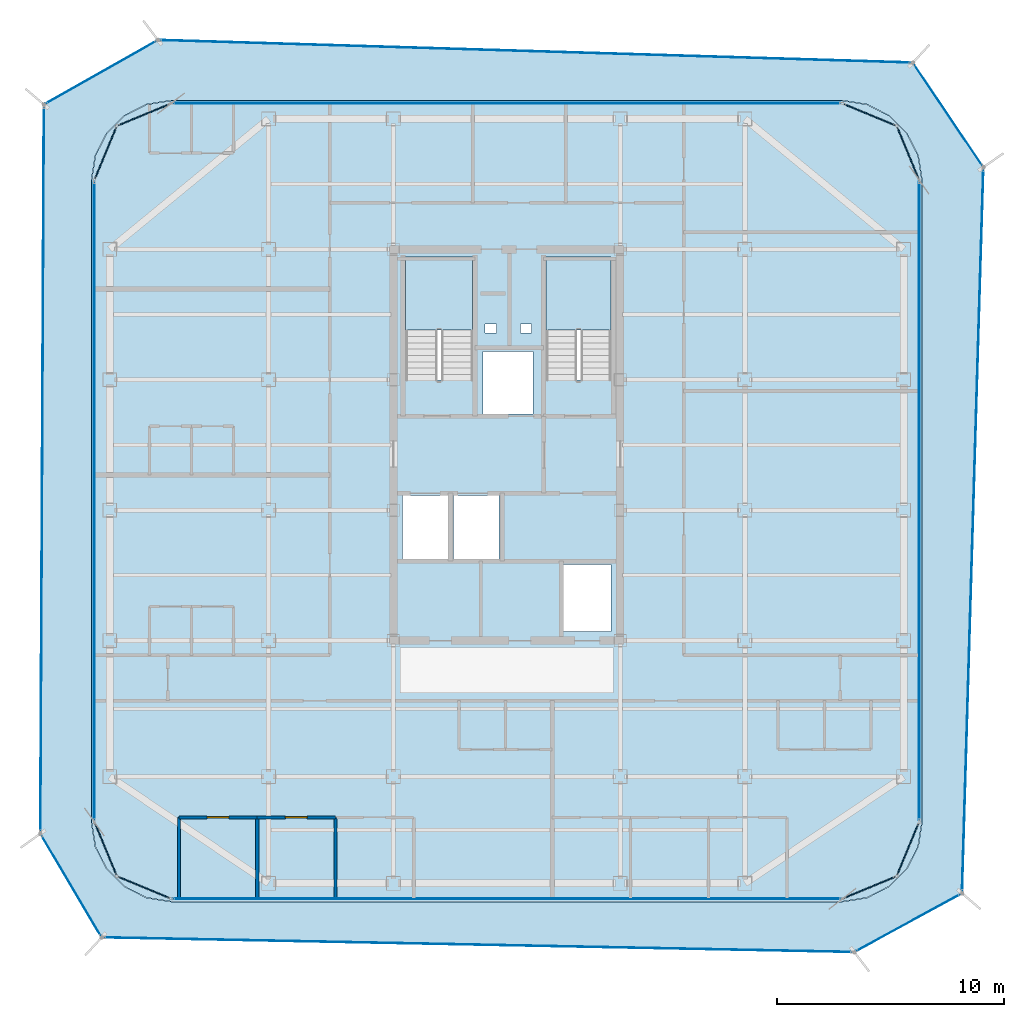
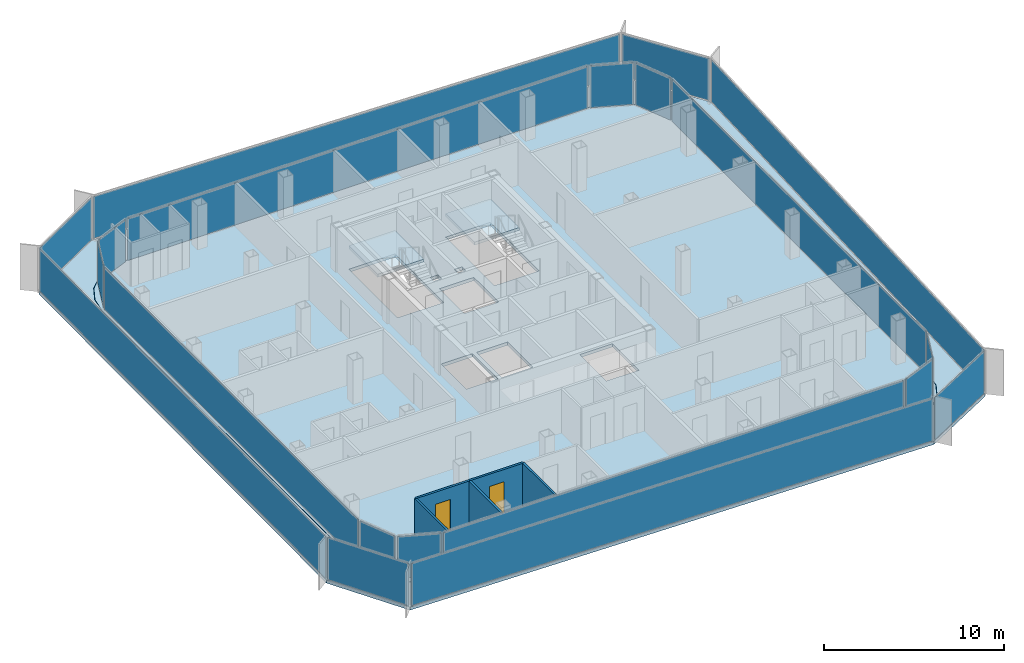
# One storey, part 9 of 15: 20 plates, 5 walls, 4 slabs, 2 doors, 2 openings, 22 elements without a shape of their own.
"""IFC4 building model written with IfcOpenShell, lengths in metres."""

import ifcopenshell
import ifcopenshell.guid

model = None  # the IFC model being written
_history = None  # IfcOwnerHistory: only IFC2X3 demands one
_inside = {}  # id of a spatial element -> (the spatial element, [elements in it])
_under = {}  # id of a project, library or spatial element -> (it, [spatial elements below it])
_declared = {}  # id of a project -> (the project, [libraries it declares])
_typed = {}  # id of a type object -> (the type object, [elements of that type])
_made_of = {}  # id of a material, layer set ... -> (it, [elements and type objects made of it])


def new_model(schema):
    """Start an empty IFC model of exactly this schema.

    Asked for "IFC4X3", IfcOpenShell would pick the latest addendum, in which some entities
    have other attributes; the version numbers below select the first issue.
    IFC2X3 requires an IfcOwnerHistory on every rooted entity: one is made here for all.
    """
    global model, _history
    if schema == "IFC4X3":
        model = ifcopenshell.file(schema_version=(4, 3, 0, 0))
    else:
        model = ifcopenshell.file(schema=schema)
    _inside.clear()
    _under.clear()
    _declared.clear()
    _typed.clear()
    _made_of.clear()
    _history = None
    if model.schema == "IFC2X3":
        org = make("IfcOrganization", Name="unknown")
        user = make(
            "IfcPersonAndOrganization",
            ThePerson=make("IfcPerson", FamilyName="unknown"),
            TheOrganization=org,
        )
        app = make(
            "IfcApplication",
            ApplicationDeveloper=org,
            Version="unknown",
            ApplicationFullName="unknown",
            ApplicationIdentifier="unknown",
        )
        _history = make(
            "IfcOwnerHistory",
            OwningUser=user,
            OwningApplication=app,
            ChangeAction="ADDED",
            CreationDate=0,
        )
    return model


def make(cls, **values):
    """One entity of the class cls with the attributes given. An attribute that is None is left unset."""
    return model.create_entity(
        cls, **{name: value for name, value in values.items() if value is not None}
    )


def rooted(cls, **values):
    """An entity with a GlobalId (a new one), such as an element, a storey or a relation."""
    return make(cls, GlobalId=ifcopenshell.guid.new(), OwnerHistory=_history, **values)


def si_unit(unit_type, name, prefix=None):
    """IfcSIUnit, for example si_unit("LENGTHUNIT", "METRE", prefix="MILLI")."""
    return make("IfcSIUnit", UnitType=unit_type, Prefix=prefix, Name=name)


def assignment(units):
    """IfcUnitAssignment: the units of a project."""
    return None if units is None else make("IfcUnitAssignment", Units=units)


def point(xyz):
    """IfcCartesianPoint."""
    return None if xyz is None else make("IfcCartesianPoint", Coordinates=xyz)


def direction(xyz):
    """IfcDirection."""
    return None if xyz is None else make("IfcDirection", DirectionRatios=xyz)


def frame(location, z_axis=None, x_axis=None):
    """IfcAxis2Placement3D, a coordinate frame: its origin and axes. An axis left out is left unset."""
    return make(
        "IfcAxis2Placement3D",
        Location=point(location),
        Axis=direction(z_axis),
        RefDirection=direction(x_axis),
    )


def frame_2d(location, x_axis=None):
    """IfcAxis2Placement2D, a coordinate frame in the plane: its origin and x axis."""
    return make(
        "IfcAxis2Placement2D", Location=point(location), RefDirection=direction(x_axis)
    )


def origin():
    """The frame at (0, 0, 0) with its axes left unset."""
    return frame((0.0, 0.0, 0.0))


def origin_2d():
    """The frame at (0, 0) in the plane with its x axis left unset."""
    return frame_2d((0.0, 0.0))


def place(relative_to, where):
    """IfcLocalPlacement: puts the frame where relative to a parent placement (None: the world)."""
    return make(
        "IfcLocalPlacement", PlacementRelTo=relative_to, RelativePlacement=where
    )


def context(
    kind, dimensions, precision=None, world=None, true_north=None, identifier=None
):
    """IfcGeometricRepresentationContext, for example the 3D "Model" context."""
    return make(
        "IfcGeometricRepresentationContext",
        ContextIdentifier=identifier,
        ContextType=kind,
        CoordinateSpaceDimension=dimensions,
        Precision=precision,
        WorldCoordinateSystem=world,
        TrueNorth=true_north,
    )


def subcontext(parent, identifier, kind, view, scale=None):
    """IfcGeometricRepresentationSubContext, for example "Body" below "Model"."""
    return make(
        "IfcGeometricRepresentationSubContext",
        ContextIdentifier=identifier,
        ContextType=kind,
        ParentContext=parent,
        TargetScale=scale,
        TargetView=view,
    )


def project(units=None, contexts=None):
    """IfcProject with its units and contexts."""
    return rooted(
        "IfcProject",
        Name="project",
        RepresentationContexts=contexts,
        UnitsInContext=assignment(units),
    )


def spatial(cls, under=None, at=None, **own):
    """A site, building, storey or space (cls), placed at a placement, below another one or the project."""
    s = rooted(cls, ObjectPlacement=at, **own)
    if under is not None:
        _under.setdefault(under.id(), (under, []))[1].append(s)
    return s


def polyline(points):
    """IfcPolyline through the points."""
    return make("IfcPolyline", Points=[point(p) for p in points])


def profile(cls, at=None, kind="AREA", **sizes):
    """A parametric profile (cls). Its sizes go by their IFC names, for example OverallWidth=200.0."""
    return make(cls, ProfileType=kind, Position=at, **sizes)


def rectangle(**sizes):
    """IfcRectangleProfileDef."""
    return profile("IfcRectangleProfileDef", **sizes)


def outline(outer, holes=None, kind="AREA"):
    """IfcArbitraryClosedProfileDef: a profile drawn as a closed curve; with holes, ...WithVoids."""
    if holes is None:
        return make("IfcArbitraryClosedProfileDef", ProfileType=kind, OuterCurve=outer)
    return make(
        "IfcArbitraryProfileDefWithVoids",
        ProfileType=kind,
        OuterCurve=outer,
        InnerCurves=holes,
    )


def extrude(swept, where, along, depth):
    """IfcExtrudedAreaSolid: the profile swept, set in the frame where, extruded along a direction by depth."""
    return make(
        "IfcExtrudedAreaSolid",
        SweptArea=swept,
        Position=where,
        ExtrudedDirection=direction(along),
        Depth=depth,
    )


def shape(context_of_items, identifier, shape_type, items):
    """IfcShapeRepresentation: the items that make up one representation, for example the "Body"."""
    return make(
        "IfcShapeRepresentation",
        ContextOfItems=context_of_items,
        RepresentationIdentifier=identifier,
        RepresentationType=shape_type,
        Items=items,
    )


def source(mapping_origin, context_of_items, identifier, shape_type, items):
    """IfcRepresentationMap: a shape defined once, which mapped items show again and again."""
    return make(
        "IfcRepresentationMap",
        MappingOrigin=mapping_origin,
        MappedRepresentation=shape(context_of_items, identifier, shape_type, items),
    )


def transform(
    local_origin,
    x_axis=None,
    y_axis=None,
    z_axis=None,
    scale=None,
    scale2=None,
    scale3=None,
    uniform=True,
):
    """IfcCartesianTransformationOperator3D, or its non-uniform kind. x_axis, y_axis, z_axis: its Axis1, 2, 3."""
    if uniform:
        return make(
            "IfcCartesianTransformationOperator3D",
            Axis1=direction(x_axis),
            Axis2=direction(y_axis),
            LocalOrigin=point(local_origin),
            Scale=scale,
            Axis3=direction(z_axis),
        )
    return make(
        "IfcCartesianTransformationOperator3DnonUniform",
        Axis1=direction(x_axis),
        Axis2=direction(y_axis),
        LocalOrigin=point(local_origin),
        Scale=scale,
        Axis3=direction(z_axis),
        Scale2=scale2,
        Scale3=scale3,
    )


def mapped(mapping_source, mapping_target):
    """IfcMappedItem: shows the shape of a source again, moved by a transform."""
    return make(
        "IfcMappedItem", MappingSource=mapping_source, MappingTarget=mapping_target
    )


def material(Name=None, Category=None):
    """IfcMaterial."""
    return make("IfcMaterial", Name=Name, Category=Category)


def layer(
    of_material, thickness, ventilated=None, Name=None, Category=None, Priority=None
):
    """IfcMaterialLayer: one layer of a wall or slab, of a material (None: an air gap)."""
    return make(
        "IfcMaterialLayer",
        Material=of_material,
        LayerThickness=thickness,
        IsVentilated=ventilated,
        Name=Name,
        Category=Category,
        Priority=Priority,
    )


def layer_set(layers, Name=None):
    """IfcMaterialLayerSet."""
    return make("IfcMaterialLayerSet", MaterialLayers=layers, LayerSetName=Name)


def made_of(thing, what):
    """Note that an element or type object is made of a material, layer set ...; save() writes the relation."""
    if what is not None:
        _made_of.setdefault(what.id(), (what, []))[1].append(thing)
    return thing


def type_object(cls, material=None, **own):
    """A type object (cls), such as IfcWallType, which elements share."""
    return made_of(rooted(cls, **own), material)


def element(
    cls,
    number,
    at=None,
    inside=None,
    cuts=None,
    type_object=None,
    material=None,
    context=None,
    identifier="Body",
    shape_type=None,
    held_by="IfcProductDefinitionShape",
    body=None,
    shapes=None,
    **own,
):
    """One element of the class cls, such as IfcWall. Its Tag is "e" and its number.

    at: its placement. inside: the storey or other place that contains it. cuts: it is an
    opening in that element (IfcRelVoidsElement). A single representation is given by context,
    identifier, shape_type and body (its items); several are given by shapes. held_by: the class
    of the entity that holds the representations. save() writes the other relations.
    """
    e = rooted(cls, Tag="e%d" % number, ObjectPlacement=at, **own)
    if body is not None:
        shapes = [shape(context, identifier, shape_type, body)]
    if shapes is not None:
        e.Representation = make(held_by, Representations=shapes)
    if inside is not None:
        _inside.setdefault(inside.id(), (inside, []))[1].append(e)
    if cuts is not None:
        rooted(
            "IfcRelVoidsElement", RelatingBuildingElement=cuts, RelatedOpeningElement=e
        )
    if type_object is not None:
        _typed.setdefault(type_object.id(), (type_object, []))[1].append(e)
    return made_of(e, material)


def fill(opening, filler):
    """IfcRelFillsElement: the door or window that sits in an opening."""
    return rooted(
        "IfcRelFillsElement",
        RelatingOpeningElement=opening,
        RelatedBuildingElement=filler,
    )


def aggregate(whole, parts):
    """IfcRelAggregates: a whole, such as a stair, and the parts it consists of."""
    return rooted("IfcRelAggregates", RelatingObject=whole, RelatedObjects=parts)


def save(model, path):
    """Write the relations noted so far, then the file.

    IfcRelAggregates (storeys below a building ...), IfcRelContainedInSpatialStructure (elements
    in a storey), IfcRelDefinesByType, IfcRelAssociatesMaterial and IfcRelDeclares: one each for
    every whole, place, type object, material and project.
    """
    for whole, parts in _under.values():
        aggregate(whole, parts)
    for where, things in _inside.values():
        rooted(
            "IfcRelContainedInSpatialStructure",
            RelatedElements=things,
            RelatingStructure=where,
        )
    for kind, things in _typed.values():
        rooted("IfcRelDefinesByType", RelatedObjects=things, RelatingType=kind)
    for what, things in _made_of.values():
        rooted("IfcRelAssociatesMaterial", RelatedObjects=things, RelatingMaterial=what)
    for by, libraries in _declared.values():
        rooted("IfcRelDeclares", RelatingContext=by, RelatedDefinitions=libraries)
    model.write(path)


model = new_model("IFC4")

# Units and contexts
model_context = context("Model", 3, precision=1e-05, world=origin(), true_north=direction((0.0, 1.0)))
body_context = subcontext(model_context, "Body", "Model", "MODEL_VIEW")
ifc_project = project(units=[si_unit("LENGTHUNIT", "METRE"), si_unit("AREAUNIT", "SQUARE_METRE"), si_unit("VOLUMEUNIT", "CUBIC_METRE"), si_unit("PLANEANGLEUNIT", "RADIAN"), si_unit("MASSUNIT", "GRAM", prefix="KILO")], contexts=[model_context])

# Site, building, storey
site_placement = place(None, origin())
site = spatial("IfcSite", under=ifc_project, at=site_placement, CompositionType="ELEMENT")
building_placement = place(site_placement, origin())
building = spatial("IfcBuilding", under=site, at=building_placement, Name="Kolveth Station Tower", CompositionType="ELEMENT")
storey_placement = place(building_placement, frame((0.0, 0.0, 258.5)))
storey = spatial("IfcBuildingStorey", under=building, at=storey_placement, Name="L74", CompositionType="ELEMENT", Elevation=258.5)

# Slab
ifc_material_1 = material(Name="Concrete C40/50", Category="concrete")
ifc_layer_1 = layer(ifc_material_1, 0.219970703125)
ifc_layer_set_1 = layer_set([ifc_layer_1], Name="Concrete C40/50")
slab_type_1 = type_object("IfcSlabType", Name="Slab_SF-220", PredefinedType="FLOOR", material=ifc_layer_set_1)
slab_1_placement = place(storey_placement, frame((0.0, 0.0, -0.219970703125)))
element("IfcSlab", 1, at=slab_1_placement, inside=storey, type_object=slab_type_1, Name="L74 Tower Structural Floor Slab", PredefinedType="FLOOR", context=body_context, shape_type="SweptSolid", body=[
    extrude(outline(polyline([(38.300048828125, 0.0), (39.381591796875, 0.17138671875), (40.357177734375, 0.66845703125), (41.131591796875, 1.44287109375), (41.628662109375, 2.41845703125), (41.800048828125, 3.5), (41.800048828125, 31.800048828125), (41.628662109375, 32.881591796875), (41.131591796875, 33.857177734375), (40.357177734375, 34.631591796875), (39.381591796875, 35.128662109375), (38.300048828125, 35.300048828125), (8.699951171875, 35.300048828125), (7.618408203125, 35.128662109375), (6.642822265625, 34.631591796875), (5.868408203125, 33.857177734375), (5.371337890625, 32.881591796875), (5.199951171875, 31.800048828125), (5.199951171875, 3.5), (5.371337890625, 2.41845703125), (5.868408203125, 1.44287109375), (6.642822265625, 0.66845703125), (7.618408203125, 0.17138671875), (8.699951171875, 0.0), (38.300048828125, 0.0)]), holes=[polyline([(19.0400390625, 22.985107421875), (22.0, 22.985107421875), (22.0, 28.39990234375), (19.0400390625, 28.39990234375), (19.0400390625, 22.985107421875)]), polyline([(25.239990234375, 22.985107421875), (28.10009765625, 22.985107421875), (28.10009765625, 28.39990234375), (25.239990234375, 28.39990234375), (25.239990234375, 22.985107421875)]), polyline([(18.89990234375, 15.10009765625), (20.89990234375, 15.10009765625), (20.89990234375, 17.89990234375), (18.89990234375, 17.89990234375), (18.89990234375, 15.10009765625)]), polyline([(21.14990234375, 15.10009765625), (23.14990234375, 15.10009765625), (23.14990234375, 17.89990234375), (21.14990234375, 17.89990234375), (21.14990234375, 15.10009765625)]), polyline([(22.449951171875, 21.5), (24.64990234375, 21.5), (24.64990234375, 24.25), (22.449951171875, 24.25), (22.449951171875, 21.5)]), polyline([(26.0, 11.89990234375), (28.10009765625, 11.89990234375), (28.10009765625, 14.85009765625), (26.0, 14.85009765625), (26.0, 11.89990234375)]), polyline([(22.550048828125, 25.050048828125), (23.050048828125, 25.050048828125), (23.050048828125, 25.449951171875), (22.550048828125, 25.449951171875), (22.550048828125, 25.050048828125)]), polyline([(24.10009765625, 25.050048828125), (24.60009765625, 25.050048828125), (24.60009765625, 25.449951171875), (24.10009765625, 25.449951171875), (24.10009765625, 25.050048828125)])]), origin(), (0.0, 0.0, 1.0), 0.219970703125),
])

# Stair, slab
stair_type_1 = type_object("IfcStairType", Name="Stair_ST2", PredefinedType="HALF_TURN_STAIR", material=ifc_material_1)
stair_1_placement = place(storey_placement, origin())
stair_1 = element("IfcStair", 2, at=stair_1_placement, inside=storey, type_object=stair_type_1, Name="L74 Tower Exit Stair ST2", PredefinedType="HALF_TURN_STAIR")
ifc_layer_2 = layer(ifc_material_1, 0.18994140625)
ifc_layer_set_2 = layer_set([ifc_layer_2], Name="Concrete C40/50")
slab_type_2 = type_object("IfcSlabType", Name="Slab_SL-190", PredefinedType="LANDING", material=ifc_layer_set_2)
slab_2_placement = place(storey_placement, frame((0.0, 0.0, 1.39990234375)))
slab_2 = element("IfcSlab", 3, at=slab_2_placement, type_object=slab_type_2, Name="ST2 landing 1", PredefinedType="LANDING", context=body_context, shape_type="SweptSolid", body=[
    extrude(outline(polyline([(28.10009765625, 25.18994140625), (28.10009765625, 28.39990234375), (25.239990234375, 28.39990234375), (25.239990234375, 25.18994140625), (28.10009765625, 25.18994140625)])), origin(), (0.0, 0.0, 1.0), 0.2001953125),
])
aggregate(stair_1, [slab_2])

stair_type_2 = type_object("IfcStairType", Name="Stair_ST1", PredefinedType="HALF_TURN_STAIR", material=ifc_material_1)
stair_2_placement = place(storey_placement, origin())
stair_2 = element("IfcStair", 4, at=stair_2_placement, inside=storey, type_object=stair_type_2, Name="L74 Tower Exit Stair ST1", PredefinedType="HALF_TURN_STAIR")
ifc_layer_3 = layer(ifc_material_1, 0.205078125)
ifc_layer_set_3 = layer_set([ifc_layer_3], Name="Concrete C40/50")
slab_type_3 = type_object("IfcSlabType", Name="Slab_SL-205", PredefinedType="LANDING", material=ifc_layer_set_3)
slab_3_placement = place(storey_placement, frame((0.0, 0.0, 1.39990234375)))
slab_3 = element("IfcSlab", 5, at=slab_3_placement, type_object=slab_type_3, Name="ST1 landing 1", PredefinedType="LANDING", context=body_context, shape_type="SweptSolid", body=[
    extrude(outline(polyline([(22.0, 25.18994140625), (22.0, 28.39990234375), (19.0400390625, 28.39990234375), (19.0400390625, 25.18994140625), (22.0, 25.18994140625)])), origin(), (0.0, 0.0, 1.0), 0.2001953125),
])
aggregate(stair_2, [slab_3])

# Slab
ifc_layer_4 = layer(ifc_material_1, 0.2099609375)
ifc_layer_set_4 = layer_set([ifc_layer_4], Name="Concrete C40/50")
slab_type_4 = type_object("IfcSlabType", Name="Slab_ST-210", PredefinedType="FLOOR", material=ifc_layer_set_4)
slab_4_placement = place(storey_placement, frame((0.0, 0.0, -0.2099609375)))
element("IfcSlab", 6, at=slab_4_placement, inside=storey, type_object=slab_type_4, Name="L74 Double-Skin Cavity Structural Ledger Ring", PredefinedType="FLOOR", context=body_context, shape_type="SweptSolid", body=[
    extrude(outline(polyline([(5.647216796875, -1.58740234375), (2.943359375, 2.989990234375), (3.098876953125, 35.12939453125), (8.123779296875, 37.9736328125), (41.404052734375, 36.976806640625), (44.51513671875, 32.366943359375), (43.57275390625, 0.35888671875), (38.82177734375, -2.233154296875), (5.647216796875, -1.58740234375)]), holes=[polyline([(38.30224609375, -0.014892578125), (39.3837890625, 0.156494140625), (39.388427734375, 0.157958984375), (40.364013671875, 0.655029296875), (40.367919921875, 0.65771484375), (41.14208984375, 1.43212890625), (41.14501953125, 1.43603515625), (41.64208984375, 2.41162109375), (41.6435546875, 2.416015625), (41.814697265625, 3.497802734375), (41.81494140625, 3.5), (41.81494140625, 31.800048828125), (41.814697265625, 31.80224609375), (41.6435546875, 32.8837890625), (41.64208984375, 32.888427734375), (41.14501953125, 33.864013671875), (41.14208984375, 33.867919921875), (40.367919921875, 34.64208984375), (40.364013671875, 34.64501953125), (39.388427734375, 35.14208984375), (39.3837890625, 35.1435546875), (38.30224609375, 35.314697265625), (38.300048828125, 35.31494140625), (8.699951171875, 35.31494140625), (8.69775390625, 35.314697265625), (7.6162109375, 35.1435546875), (7.611572265625, 35.14208984375), (6.635986328125, 34.64501953125), (6.632080078125, 34.64208984375), (5.85791015625, 33.867919921875), (5.85498046875, 33.864013671875), (5.35791015625, 32.888427734375), (5.3564453125, 32.8837890625), (5.185302734375, 31.80224609375), (5.18505859375, 31.800048828125), (5.18505859375, 3.5), (5.185302734375, 3.497802734375), (5.3564453125, 2.416015625), (5.35791015625, 2.41162109375), (5.85498046875, 1.43603515625), (5.85791015625, 1.43212890625), (6.632080078125, 0.65771484375), (6.635986328125, 0.655029296875), (7.611572265625, 0.157958984375), (7.6162109375, 0.156494140625), (8.69775390625, -0.014892578125), (8.699951171875, -0.014892578125), (38.300048828125, -0.014892578125), (38.30224609375, -0.014892578125)])]), origin(), (0.0, 0.0, 1.0), 0.2099609375),
])

# Curtain wall, plate
ifc_material_2 = material(Name="Aluminium 6063-T6 and triple low-E dark glass", Category="aluminium")
ifc_layer_5 = layer(ifc_material_2, 0.199951171875)
ifc_layer_set_5 = layer_set([ifc_layer_5], Name="Aluminium 6063-T6 and triple low-E dark glass")
curtain_wall_type_1 = type_object("IfcCurtainWallType", Name="CurtainWall_CW-Z3", PredefinedType="NOTDEFINED", material=ifc_layer_set_5)
curtain_wall_1_placement = place(storey_placement, origin())
curtain_wall_1 = element("IfcCurtainWall", 7, at=curtain_wall_1_placement, inside=storey, type_object=curtain_wall_type_1, Name="L74 Inner Thermal Curtain Wall 1", PredefinedType="NOTDEFINED")
ifc_material_3 = material(Name="Architectural low-E dark glass", Category="glass")
ifc_layer_6 = layer(ifc_material_3, 0.0419921875)
ifc_layer_set_6 = layer_set([ifc_layer_6], Name="Architectural low-E dark glass")
plate_type_1 = type_object("IfcPlateType", Name="Panel_GL3", PredefinedType="CURTAIN_PANEL", material=ifc_layer_set_6)
shared_shape_1 = source(origin(), body_context, "Body", "SweptSolid", [
    extrude(rectangle(XDim=2.430908203125, YDim=0.0419921875, at=origin_2d()), origin(), (0.0, 0.0, 1.0), 2.823974609375),
])
plate_1_placement = place(storey_placement, frame((39.4951171875, 0.614990234375, 0.078125), z_axis=(0.0, 0.0, 1.0), x_axis=(0.923875488975, 0.382693194181, 0.0)))
plate_1 = element("IfcPlate", 8, at=plate_1_placement, type_object=plate_type_1, Name="CW-Z3 panel 1.1", PredefinedType="CURTAIN_PANEL", context=body_context, shape_type="MappedRepresentation", body=[
    mapped(shared_shape_1, transform((0.0, 0.0, 0.0), x_axis=(1.0, 0.0, 0.0), y_axis=(0.0, 1.0, 0.0), z_axis=(0.0, 0.0, 1.0), scale=1.0)),
])
aggregate(curtain_wall_1, [plate_1])

curtain_wall_2_placement = place(storey_placement, origin())
curtain_wall_2 = element("IfcCurtainWall", 9, at=curtain_wall_2_placement, inside=storey, type_object=curtain_wall_type_1, Name="L74 Inner Thermal Curtain Wall 2", PredefinedType="NOTDEFINED")
plate_2_placement = place(storey_placement, frame((41.18505859375, 2.304931640625, 0.078125), z_axis=(0.0, 0.0, 1.0), x_axis=(0.382693194181, 0.923875488975, 0.0)))
plate_2 = element("IfcPlate", 10, at=plate_2_placement, type_object=plate_type_1, Name="CW-Z3 panel 1.1", PredefinedType="CURTAIN_PANEL", context=body_context, shape_type="MappedRepresentation", body=[
    mapped(shared_shape_1, transform((0.0, 0.0, 0.0), x_axis=(1.0, 0.0, 0.0), y_axis=(0.0, 1.0, 0.0), z_axis=(0.0, 0.0, 1.0), scale=1.0)),
])
aggregate(curtain_wall_2, [plate_2])

curtain_wall_3_placement = place(storey_placement, origin())
curtain_wall_3 = element("IfcCurtainWall", 11, at=curtain_wall_3_placement, inside=storey, type_object=curtain_wall_type_1, Name="L74 Inner Thermal Curtain Wall 4", PredefinedType="NOTDEFINED")
plate_3_placement = place(storey_placement, frame((41.18505859375, 32.9951171875, 0.078125), z_axis=(0.0, 0.0, 1.0), x_axis=(-0.382693194181, 0.923875488975, 0.0)))
plate_3 = element("IfcPlate", 12, at=plate_3_placement, type_object=plate_type_1, Name="CW-Z3 panel 1.1", PredefinedType="CURTAIN_PANEL", context=body_context, shape_type="MappedRepresentation", body=[
    mapped(shared_shape_1, transform((0.0, 0.0, 0.0), x_axis=(1.0, 0.0, 0.0), y_axis=(0.0, 1.0, 0.0), z_axis=(0.0, 0.0, 1.0), scale=1.0)),
])
aggregate(curtain_wall_3, [plate_3])

curtain_wall_4_placement = place(storey_placement, origin())
curtain_wall_4 = element("IfcCurtainWall", 13, at=curtain_wall_4_placement, inside=storey, type_object=curtain_wall_type_1, Name="L74 Inner Thermal Curtain Wall 5", PredefinedType="NOTDEFINED")
plate_4_placement = place(storey_placement, frame((39.4951171875, 34.68505859375, 0.078125), z_axis=(0.0, 0.0, 1.0), x_axis=(-0.923875488975, 0.382693194181, 0.0)))
plate_4 = element("IfcPlate", 14, at=plate_4_placement, type_object=plate_type_1, Name="CW-Z3 panel 1.1", PredefinedType="CURTAIN_PANEL", context=body_context, shape_type="MappedRepresentation", body=[
    mapped(shared_shape_1, transform((0.0, 0.0, 0.0), x_axis=(1.0, 0.0, 0.0), y_axis=(0.0, 1.0, 0.0), z_axis=(0.0, 0.0, 1.0), scale=1.0)),
])
aggregate(curtain_wall_4, [plate_4])

curtain_wall_5_placement = place(storey_placement, origin())
curtain_wall_5 = element("IfcCurtainWall", 15, at=curtain_wall_5_placement, inside=storey, type_object=curtain_wall_type_1, Name="L74 Inner Thermal Curtain Wall 7", PredefinedType="NOTDEFINED")
plate_5_placement = place(storey_placement, frame((7.5048828125, 34.68505859375, 0.078125), z_axis=(0.0, 0.0, 1.0), x_axis=(-0.923875488975, -0.382693194181, 0.0)))
plate_5 = element("IfcPlate", 16, at=plate_5_placement, type_object=plate_type_1, Name="CW-Z3 panel 1.1", PredefinedType="CURTAIN_PANEL", context=body_context, shape_type="MappedRepresentation", body=[
    mapped(shared_shape_1, transform((0.0, 0.0, 0.0), x_axis=(1.0, 0.0, 0.0), y_axis=(0.0, 1.0, 0.0), z_axis=(0.0, 0.0, 1.0), scale=1.0)),
])
aggregate(curtain_wall_5, [plate_5])

curtain_wall_6_placement = place(storey_placement, origin())
curtain_wall_6 = element("IfcCurtainWall", 17, at=curtain_wall_6_placement, inside=storey, type_object=curtain_wall_type_1, Name="L74 Inner Thermal Curtain Wall 8", PredefinedType="NOTDEFINED")
plate_6_placement = place(storey_placement, frame((5.81494140625, 32.9951171875, 0.078125), z_axis=(0.0, 0.0, 1.0), x_axis=(-0.382693194181, -0.923875488975, 0.0)))
plate_6 = element("IfcPlate", 18, at=plate_6_placement, type_object=plate_type_1, Name="CW-Z3 panel 1.1", PredefinedType="CURTAIN_PANEL", context=body_context, shape_type="MappedRepresentation", body=[
    mapped(shared_shape_1, transform((0.0, 0.0, 0.0), x_axis=(1.0, 0.0, 0.0), y_axis=(0.0, 1.0, 0.0), z_axis=(0.0, 0.0, 1.0), scale=1.0)),
])
aggregate(curtain_wall_6, [plate_6])

curtain_wall_7_placement = place(storey_placement, origin())
curtain_wall_7 = element("IfcCurtainWall", 19, at=curtain_wall_7_placement, inside=storey, type_object=curtain_wall_type_1, Name="L74 Inner Thermal Curtain Wall 10", PredefinedType="NOTDEFINED")
plate_7_placement = place(storey_placement, frame((5.81494140625, 2.304931640625, 0.078125), z_axis=(0.0, 0.0, 1.0), x_axis=(0.382693194181, -0.923875488975, 0.0)))
plate_7 = element("IfcPlate", 20, at=plate_7_placement, type_object=plate_type_1, Name="CW-Z3 panel 1.1", PredefinedType="CURTAIN_PANEL", context=body_context, shape_type="MappedRepresentation", body=[
    mapped(shared_shape_1, transform((0.0, 0.0, 0.0), x_axis=(1.0, 0.0, 0.0), y_axis=(0.0, 1.0, 0.0), z_axis=(0.0, 0.0, 1.0), scale=1.0)),
])
aggregate(curtain_wall_7, [plate_7])

curtain_wall_8_placement = place(storey_placement, origin())
curtain_wall_8 = element("IfcCurtainWall", 21, at=curtain_wall_8_placement, inside=storey, type_object=curtain_wall_type_1, Name="L74 Inner Thermal Curtain Wall 11", PredefinedType="NOTDEFINED")
plate_8_placement = place(storey_placement, frame((7.5048828125, 0.614990234375, 0.078125), z_axis=(0.0, 0.0, 1.0), x_axis=(0.923875488975, -0.382693194181, 0.0)))
plate_8 = element("IfcPlate", 22, at=plate_8_placement, type_object=plate_type_1, Name="CW-Z3 panel 1.1", PredefinedType="CURTAIN_PANEL", context=body_context, shape_type="MappedRepresentation", body=[
    mapped(shared_shape_1, transform((0.0, 0.0, 0.0), x_axis=(1.0, 0.0, 0.0), y_axis=(0.0, 1.0, 0.0), z_axis=(0.0, 0.0, 1.0), scale=1.0)),
])
aggregate(curtain_wall_8, [plate_8])

curtain_wall_9_placement = place(storey_placement, origin())
curtain_wall_9 = element("IfcCurtainWall", 23, at=curtain_wall_9_placement, inside=storey, type_object=curtain_wall_type_1, Name="L74 Inner Thermal Curtain Wall 3", PredefinedType="NOTDEFINED")
shared_shape_2 = source(origin(), body_context, "Body", "SweptSolid", [
    extrude(rectangle(XDim=28.14404296875, YDim=0.0419921875, at=origin_2d()), origin(), (0.0, 0.0, 1.0), 2.823974609375),
])
plate_9_placement = place(storey_placement, frame((41.679931640625, 17.64990234375, 0.078125), z_axis=(0.0, 0.0, 1.0), x_axis=(0.0, 1.0, 0.0)))
plate_9 = element("IfcPlate", 24, at=plate_9_placement, type_object=plate_type_1, Name="CW-Z3 panel 1.1", PredefinedType="CURTAIN_PANEL", context=body_context, shape_type="MappedRepresentation", body=[
    mapped(shared_shape_2, transform((0.0, 0.0, 0.0), x_axis=(1.0, 0.0, 0.0), y_axis=(0.0, 1.0, 0.0), z_axis=(0.0, 0.0, 1.0), scale=1.0)),
])
aggregate(curtain_wall_9, [plate_9])

curtain_wall_10_placement = place(storey_placement, origin())
curtain_wall_10 = element("IfcCurtainWall", 25, at=curtain_wall_10_placement, inside=storey, type_object=curtain_wall_type_1, Name="L74 Inner Thermal Curtain Wall 9", PredefinedType="NOTDEFINED")
plate_10_placement = place(storey_placement, frame((5.320068359375, 17.64990234375, 0.078125), z_axis=(0.0, 0.0, 1.0), x_axis=(0.0, -1.0, 0.0)))
plate_10 = element("IfcPlate", 26, at=plate_10_placement, type_object=plate_type_1, Name="CW-Z3 panel 1.1", PredefinedType="CURTAIN_PANEL", context=body_context, shape_type="MappedRepresentation", body=[
    mapped(shared_shape_2, transform((0.0, 0.0, 0.0), x_axis=(1.0, 0.0, 0.0), y_axis=(0.0, 1.0, 0.0), z_axis=(0.0, 0.0, 1.0), scale=1.0)),
])
aggregate(curtain_wall_10, [plate_10])

curtain_wall_11_placement = place(storey_placement, origin())
curtain_wall_11 = element("IfcCurtainWall", 27, at=curtain_wall_11_placement, inside=storey, type_object=curtain_wall_type_1, Name="L74 Inner Thermal Curtain Wall 6", PredefinedType="NOTDEFINED")
shared_shape_3 = source(origin(), body_context, "Body", "SweptSolid", [
    extrude(rectangle(XDim=29.444091796875, YDim=0.0419921875, at=origin_2d()), origin(), (0.0, 0.0, 1.0), 2.823974609375),
])
plate_11_placement = place(storey_placement, frame((23.5, 35.179931640625, 0.078125), z_axis=(0.0, 0.0, 1.0), x_axis=(-1.0, 0.0, 0.0)))
plate_11 = element("IfcPlate", 28, at=plate_11_placement, type_object=plate_type_1, Name="CW-Z3 panel 1.1", PredefinedType="CURTAIN_PANEL", context=body_context, shape_type="MappedRepresentation", body=[
    mapped(shared_shape_3, transform((0.0, 0.0, 0.0), x_axis=(1.0, 0.0, 0.0), y_axis=(0.0, 1.0, 0.0), z_axis=(0.0, 0.0, 1.0), scale=1.0)),
])
aggregate(curtain_wall_11, [plate_11])

curtain_wall_12_placement = place(storey_placement, origin())
curtain_wall_12 = element("IfcCurtainWall", 29, at=curtain_wall_12_placement, inside=storey, type_object=curtain_wall_type_1, Name="L74 Inner Thermal Curtain Wall 12", PredefinedType="NOTDEFINED")
plate_12_placement = place(storey_placement, frame((23.5, 0.1201171875, 0.078125), z_axis=(0.0, 0.0, 1.0), x_axis=(1.0, 0.0, 0.0)))
plate_12 = element("IfcPlate", 30, at=plate_12_placement, type_object=plate_type_1, Name="CW-Z3 panel 1.1", PredefinedType="CURTAIN_PANEL", context=body_context, shape_type="MappedRepresentation", body=[
    mapped(shared_shape_3, transform((0.0, 0.0, 0.0), x_axis=(1.0, 0.0, 0.0), y_axis=(0.0, 1.0, 0.0), z_axis=(0.0, 0.0, 1.0), scale=1.0)),
])
aggregate(curtain_wall_12, [plate_12])

ifc_material_4 = material(Name="Black anodized aluminium 6063-T6 and dark solar glass", Category="aluminium")
ifc_layer_7 = layer(ifc_material_4, 0.159912109375)
ifc_layer_set_7 = layer_set([ifc_layer_7], Name="Black anodized aluminium 6063-T6 and dark solar glass")
curtain_wall_type_2 = type_object("IfcCurtainWallType", Name="OUTER SKIN CW-OS", PredefinedType="NOTDEFINED", material=ifc_layer_set_7)
curtain_wall_13_placement = place(storey_placement, origin())
curtain_wall_13 = element("IfcCurtainWall", 31, at=curtain_wall_13_placement, inside=storey, type_object=curtain_wall_type_2, Name="L74 Outer Ventilated Skin Curtain Wall 1", PredefinedType="NOTDEFINED")
ifc_layer_8 = layer(ifc_material_3, 0.028076171875)
ifc_layer_set_8 = layer_set([ifc_layer_8], Name="Architectural low-E dark glass")
plate_type_2 = type_object("IfcPlateType", Name="Panel_GL-OS", PredefinedType="CURTAIN_PANEL", material=ifc_layer_set_8)
shared_shape_4 = source(origin(), body_context, "Body", "SweptSolid", [
    extrude(rectangle(XDim=5.24609375, YDim=0.028076171875, at=origin_2d()), origin(), (0.0, 0.0, 1.0), 2.843994140625),
])
plate_13_placement = place(storey_placement, frame((41.197265625, -0.937255859375, 0.0732421875), z_axis=(0.0, 0.0, 1.0), x_axis=(0.877841194371, 0.478951811215, 0.0)))
plate_13 = element("IfcPlate", 32, at=plate_13_placement, type_object=plate_type_2, Name="CW-OS panel 1.1", PredefinedType="CURTAIN_PANEL", context=body_context, shape_type="MappedRepresentation", body=[
    mapped(shared_shape_4, transform((0.0, 0.0, 0.0), x_axis=(1.0, 0.0, 0.0), y_axis=(0.0, 1.0, 0.0), z_axis=(0.0, 0.0, 1.0), scale=1.0)),
])
aggregate(curtain_wall_13, [plate_13])

curtain_wall_14_placement = place(storey_placement, origin())
curtain_wall_14 = element("IfcCurtainWall", 33, at=curtain_wall_14_placement, inside=storey, type_object=curtain_wall_type_2, Name="L74 Outer Ventilated Skin Curtain Wall 2", PredefinedType="NOTDEFINED")
shared_shape_5 = source(origin(), body_context, "Body", "SweptSolid", [
    extrude(rectangle(XDim=31.85595703125, YDim=0.028076171875, at=origin_2d()), origin(), (0.0, 0.0, 1.0), 2.843994140625),
])
plate_14_placement = place(storey_placement, frame((44.0439453125, 16.363037109375, 0.0732421875), z_axis=(0.0, 0.0, 1.0), x_axis=(0.029432914465, 0.999566757924, 0.0)))
plate_14 = element("IfcPlate", 34, at=plate_14_placement, type_object=plate_type_2, Name="CW-OS panel 1.1", PredefinedType="CURTAIN_PANEL", context=body_context, shape_type="MappedRepresentation", body=[
    mapped(shared_shape_5, transform((0.0, 0.0, 0.0), x_axis=(1.0, 0.0, 0.0), y_axis=(0.0, 1.0, 0.0), z_axis=(0.0, 0.0, 1.0), scale=1.0)),
])
aggregate(curtain_wall_14, [plate_14])

curtain_wall_15_placement = place(storey_placement, origin())
curtain_wall_15 = element("IfcCurtainWall", 35, at=curtain_wall_15_placement, inside=storey, type_object=curtain_wall_type_2, Name="L74 Outer Ventilated Skin Curtain Wall 3", PredefinedType="NOTDEFINED")
shared_shape_6 = source(origin(), body_context, "Body", "SweptSolid", [
    extrude(rectangle(XDim=5.3955078125, YDim=0.028076171875, at=origin_2d()), origin(), (0.0, 0.0, 1.0), 2.843994140625),
])
plate_15_placement = place(storey_placement, frame((42.959716796875, 34.671875, 0.0732421875), z_axis=(0.0, 0.0, 1.0), x_axis=(-0.559421590236, 0.828883275485, 0.0)))
plate_15 = element("IfcPlate", 36, at=plate_15_placement, type_object=plate_type_2, Name="CW-OS panel 1.1", PredefinedType="CURTAIN_PANEL", context=body_context, shape_type="MappedRepresentation", body=[
    mapped(shared_shape_6, transform((0.0, 0.0, 0.0), x_axis=(1.0, 0.0, 0.0), y_axis=(0.0, 1.0, 0.0), z_axis=(0.0, 0.0, 1.0), scale=1.0)),
])
aggregate(curtain_wall_15, [plate_15])

curtain_wall_16_placement = place(storey_placement, origin())
curtain_wall_16 = element("IfcCurtainWall", 37, at=curtain_wall_16_placement, inside=storey, type_object=curtain_wall_type_2, Name="L74 Outer Ventilated Skin Curtain Wall 4", PredefinedType="NOTDEFINED")
shared_shape_7 = source(origin(), body_context, "Body", "SweptSolid", [
    extrude(rectangle(XDim=33.129150390625, YDim=0.028076171875, at=origin_2d()), origin(), (0.0, 0.0, 1.0), 2.843994140625),
])
plate_16_placement = place(storey_placement, frame((24.763916015625, 37.475341796875, 0.0732421875), z_axis=(0.0, 0.0, 1.0), x_axis=(-0.999551658236, 0.029941317897, 0.0)))
plate_16 = element("IfcPlate", 38, at=plate_16_placement, type_object=plate_type_2, Name="CW-OS panel 1.1", PredefinedType="CURTAIN_PANEL", context=body_context, shape_type="MappedRepresentation", body=[
    mapped(shared_shape_7, transform((0.0, 0.0, 0.0), x_axis=(1.0, 0.0, 0.0), y_axis=(0.0, 1.0, 0.0), z_axis=(0.0, 0.0, 1.0), scale=1.0)),
])
aggregate(curtain_wall_16, [plate_16])

curtain_wall_17_placement = place(storey_placement, origin())
curtain_wall_17 = element("IfcCurtainWall", 39, at=curtain_wall_17_placement, inside=storey, type_object=curtain_wall_type_2, Name="L74 Outer Ventilated Skin Curtain Wall 5", PredefinedType="NOTDEFINED")
shared_shape_8 = source(origin(), body_context, "Body", "SweptSolid", [
    extrude(rectangle(XDim=5.608154296875, YDim=0.028076171875, at=origin_2d()), origin(), (0.0, 0.0, 1.0), 2.843994140625),
])
plate_17_placement = place(storey_placement, frame((5.611328125, 36.551513671875, 0.0732421875), z_axis=(0.0, 0.0, 1.0), x_axis=(-0.870259796747, -0.492593022856, 0.0)))
plate_17 = element("IfcPlate", 40, at=plate_17_placement, type_object=plate_type_2, Name="CW-OS panel 1.1", PredefinedType="CURTAIN_PANEL", context=body_context, shape_type="MappedRepresentation", body=[
    mapped(shared_shape_8, transform((0.0, 0.0, 0.0), x_axis=(1.0, 0.0, 0.0), y_axis=(0.0, 1.0, 0.0), z_axis=(0.0, 0.0, 1.0), scale=1.0)),
])
aggregate(curtain_wall_17, [plate_17])

curtain_wall_18_placement = place(storey_placement, origin())
curtain_wall_18 = element("IfcCurtainWall", 41, at=curtain_wall_18_placement, inside=storey, type_object=curtain_wall_type_2, Name="L74 Outer Ventilated Skin Curtain Wall 6", PredefinedType="NOTDEFINED")
shared_shape_9 = source(origin(), body_context, "Body", "SweptSolid", [
    extrude(rectangle(XDim=31.973876953125, YDim=0.028076171875, at=origin_2d()), origin(), (0.0, 0.0, 1.0), 2.843994140625),
])
plate_18_placement = place(storey_placement, frame((3.02099609375, 19.0595703125, 0.0732421875), z_axis=(0.0, 0.0, 1.0), x_axis=(-0.00483511515, -0.999988310762, 0.0)))
plate_18 = element("IfcPlate", 42, at=plate_18_placement, type_object=plate_type_2, Name="CW-OS panel 1.1", PredefinedType="CURTAIN_PANEL", context=body_context, shape_type="MappedRepresentation", body=[
    mapped(shared_shape_9, transform((0.0, 0.0, 0.0), x_axis=(1.0, 0.0, 0.0), y_axis=(0.0, 1.0, 0.0), z_axis=(0.0, 0.0, 1.0), scale=1.0)),
])
aggregate(curtain_wall_18, [plate_18])

curtain_wall_19_placement = place(storey_placement, origin())
curtain_wall_19 = element("IfcCurtainWall", 43, at=curtain_wall_19_placement, inside=storey, type_object=curtain_wall_type_2, Name="L74 Outer Ventilated Skin Curtain Wall 7", PredefinedType="NOTDEFINED")
shared_shape_10 = source(origin(), body_context, "Body", "SweptSolid", [
    extrude(rectangle(XDim=5.150146484375, YDim=0.028076171875, at=origin_2d()), origin(), (0.0, 0.0, 1.0), 2.843994140625),
])
plate_19_placement = place(storey_placement, frame((4.29541015625, 0.701416015625, 0.0732421875), z_axis=(0.0, 0.0, 1.0), x_axis=(0.508602557933, -0.861001415832, 0.0)))
plate_19 = element("IfcPlate", 44, at=plate_19_placement, type_object=plate_type_2, Name="CW-OS panel 1.1", PredefinedType="CURTAIN_PANEL", context=body_context, shape_type="MappedRepresentation", body=[
    mapped(shared_shape_10, transform((0.0, 0.0, 0.0), x_axis=(1.0, 0.0, 0.0), y_axis=(0.0, 1.0, 0.0), z_axis=(0.0, 0.0, 1.0), scale=1.0)),
])
aggregate(curtain_wall_19, [plate_19])

curtain_wall_20_placement = place(storey_placement, origin())
curtain_wall_20 = element("IfcCurtainWall", 45, at=curtain_wall_20_placement, inside=storey, type_object=curtain_wall_type_2, Name="L74 Outer Ventilated Skin Curtain Wall 8", PredefinedType="NOTDEFINED")
shared_shape_11 = source(origin(), body_context, "Body", "SweptSolid", [
    extrude(rectangle(XDim=33.014892578125, YDim=0.028076171875, at=origin_2d()), origin(), (0.0, 0.0, 1.0), 2.843994140625),
])
plate_20_placement = place(storey_placement, frame((22.234619140625, -1.91015625, 0.0732421875), z_axis=(0.0, 0.0, 1.0), x_axis=(0.999810518972, -0.019466025632, 0.0)))
plate_20 = element("IfcPlate", 46, at=plate_20_placement, type_object=plate_type_2, Name="CW-OS panel 1.1", PredefinedType="CURTAIN_PANEL", context=body_context, shape_type="MappedRepresentation", body=[
    mapped(shared_shape_11, transform((0.0, 0.0, 0.0), x_axis=(1.0, 0.0, 0.0), y_axis=(0.0, 1.0, 0.0), z_axis=(0.0, 0.0, 1.0), scale=1.0)),
])
aggregate(curtain_wall_20, [plate_20])

# Wall
ifc_material_5 = material(Name="Moisture-resistant gypsum partition")
ifc_layer_9 = layer(ifc_material_5, 0.135009765625)
ifc_layer_set_9 = layer_set([ifc_layer_9], Name="Moisture-resistant gypsum partition")
wall_type = type_object("IfcWallType", Name="Wall_IW-135", PredefinedType="PARTITIONING", material=ifc_layer_set_9)
wall_1_placement = place(storey_placement, frame((9.050048828125, 0.159912109375, 0.0), z_axis=(0.0, 0.0, 1.0), x_axis=(0.0, 1.0, 0.0)))
element("IfcWall", 47, at=wall_1_placement, inside=storey, type_object=wall_type, Name="L74 Partition Wall WL-L74-A1-BDV0", PredefinedType="PARTITIONING", context=body_context, shape_type="SweptSolid", body=[
    extrude(rectangle(XDim=3.550048828125, YDim=0.135009765625, at=frame_2d((1.77490234375, 0.0))), origin(), (0.0, 0.0, 1.0), 2.97998046875),
])

# Wall, opening, door
wall_2_placement = place(storey_placement, frame((9.050048828125, 3.7099609375, 0.0), z_axis=(0.0, 0.0, 1.0), x_axis=(1.0, 0.0, 0.0)))
wall_2 = element("IfcWall", 48, at=wall_2_placement, inside=storey, type_object=wall_type, Name="L74 Partition Wall WL-L74-A1-BDH1", PredefinedType="PARTITIONING", context=body_context, shape_type="SweptSolid", body=[
    extrude(rectangle(XDim=3.449951171875, YDim=0.135009765625, at=frame_2d((1.72509765625, 0.0))), origin(), (0.0, 0.0, 1.0), 2.97998046875),
])
opening_1_placement = place(wall_2_placement, frame((1.2451171875, 0.0, 0.0)))
opening_1 = element("IfcOpeningElement", 49, at=opening_1_placement, cuts=wall_2, Name="Opening ID1", PredefinedType="OPENING", context=body_context, shape_type="SweptSolid", body=[
    extrude(rectangle(XDim=0.949951171875, YDim=2.14990234375, at=frame_2d((0.47509765625, 1.074951171875))), frame((0.0, 0.077392578125, 0.0), z_axis=(0.0, -1.0, 0.0), x_axis=(1.0, 0.0, 0.0)), (0.0, 0.0, 1.0), 0.155029296875),
])
ifc_material_6 = material(Name="Acoustic hardwood leaf and aluminium frame", Category="wood")
door_type = type_object("IfcDoorType", Name="Door_ID1", OperationType="NOTDEFINED", PredefinedType="DOOR", material=ifc_material_6)
door_1_placement = place(opening_1_placement, frame((0.949951171875, 0.0, 0.0), z_axis=(0.0, 0.0, 1.0), x_axis=(-1.0, 0.0, 0.0)))
door_1 = element("IfcDoor", 50, at=door_1_placement, inside=storey, type_object=door_type, Name="Penthouse Flat L74-A1 Bedroom 1 Door", OperationType="SINGLE_SWING_RIGHT", OverallHeight=2.14990234375, OverallWidth=0.949951171875, PredefinedType="DOOR", context=body_context, shape_type="SweptSolid", body=[
    extrude(rectangle(XDim=0.949951171875, YDim=2.14990234375, at=frame_2d((0.47509765625, 1.074951171875))), frame((0.0, 0.02490234375, 0.0), z_axis=(0.0, -1.0, 0.0), x_axis=(1.0, 0.0, 0.0)), (0.0, 0.0, 1.0), 0.050048828125),
])
fill(opening_1, door_1)

wall_3_placement = place(storey_placement, frame((12.5, 3.7099609375, 0.0), z_axis=(0.0, 0.0, 1.0), x_axis=(1.0, 0.0, 0.0)))
wall_3 = element("IfcWall", 51, at=wall_3_placement, inside=storey, type_object=wall_type, Name="L74 Partition Wall WL-L74-A1-BDH2", PredefinedType="PARTITIONING", context=body_context, shape_type="SweptSolid", body=[
    extrude(rectangle(XDim=3.449951171875, YDim=0.135009765625, at=frame_2d((1.72509765625, 0.0))), origin(), (0.0, 0.0, 1.0), 2.97998046875),
])
opening_2_placement = place(wall_3_placement, frame((1.2451171875, 0.0, 0.0)))
opening_2 = element("IfcOpeningElement", 52, at=opening_2_placement, cuts=wall_3, Name="Opening ID1", PredefinedType="OPENING", context=body_context, shape_type="SweptSolid", body=[
    extrude(rectangle(XDim=0.949951171875, YDim=2.14990234375, at=frame_2d((0.47509765625, 1.074951171875))), frame((0.0, 0.077392578125, 0.0), z_axis=(0.0, -1.0, 0.0), x_axis=(1.0, 0.0, 0.0)), (0.0, 0.0, 1.0), 0.155029296875),
])
door_2_placement = place(opening_2_placement, frame((0.949951171875, 0.0, 0.0), z_axis=(0.0, 0.0, 1.0), x_axis=(-1.0, 0.0, 0.0)))
door_2 = element("IfcDoor", 53, at=door_2_placement, inside=storey, type_object=door_type, Name="Penthouse Flat L74-A1 Bedroom 2 Door", OperationType="SINGLE_SWING_LEFT", OverallHeight=2.14990234375, OverallWidth=0.949951171875, PredefinedType="DOOR", context=body_context, shape_type="SweptSolid", body=[
    extrude(rectangle(XDim=0.949951171875, YDim=2.14990234375, at=frame_2d((0.47509765625, 1.074951171875))), frame((0.0, 0.02490234375, 0.0), z_axis=(0.0, -1.0, 0.0), x_axis=(1.0, 0.0, 0.0)), (0.0, 0.0, 1.0), 0.050048828125),
])
fill(opening_2, door_2)

# Walls
for number, where, z_axis, x_axis, name in (
    (54, (12.5, 0.159912109375, 0.0), (0.0, 0.0, 1.0), (0.0, 1.0, 0.0), "L74 Partition Wall WL-L74-A1-BDV1"),
    (55, (15.949951171875, 0.159912109375, 0.0), (0.0, 0.0, 1.0), (0.0, 1.0, 0.0), "L74 Partition Wall WL-L74-A1-BDV2"),
):
    element("IfcWall", number, at=place(storey_placement, frame(where, z_axis=z_axis, x_axis=x_axis)), inside=storey, type_object=wall_type, Name=name, PredefinedType="PARTITIONING", context=body_context, shape_type="SweptSolid", body=[
        extrude(rectangle(XDim=3.550048828125, YDim=0.135009765625, at=frame_2d((1.77490234375, 0.0))), origin(), (0.0, 0.0, 1.0), 2.97998046875),
    ])

save(model, "model.ifc")
